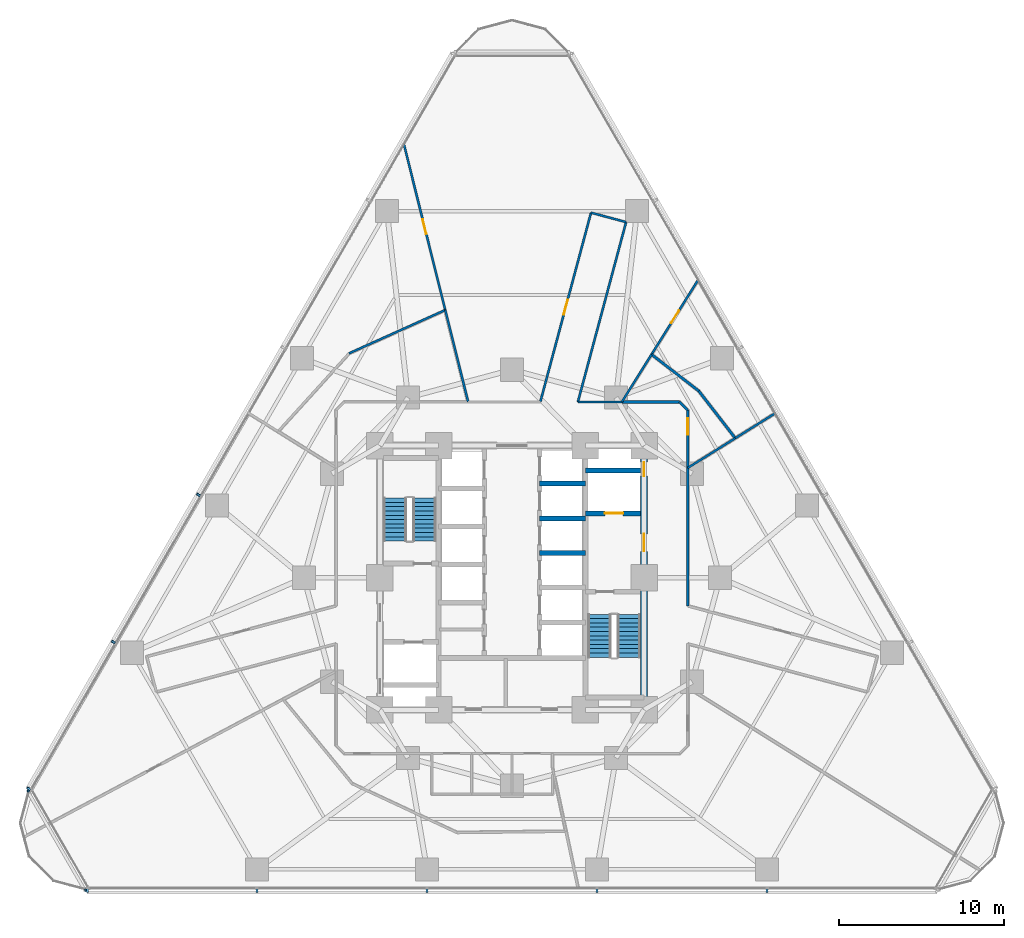
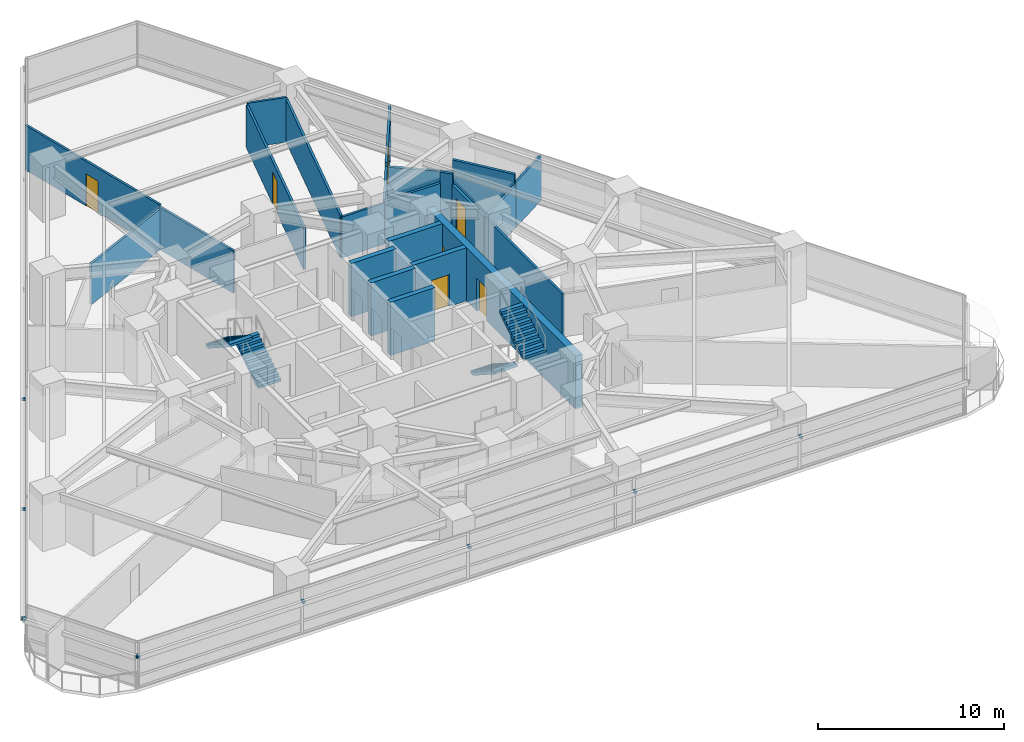
# One storey, part 10 of 15: 23 walls, 10 discrete accessories, 7 doors, 4 stair flights, 7 openings, 2 elements without a shape of their own.
"""IFC4 building model written with IfcOpenShell, lengths in metres."""

from ifc_helpers import new_model, si_unit, direction, frame, frame_2d, origin, origin_2d, place, context, subcontext, project, spatial, polyline, rectangle, outline, extrude, material, layer, layer_set, type_object, element, fill, aggregate, save


model = new_model("IFC4")

# Units and contexts
model_context = context("Model", 3, precision=1e-05, world=origin(), true_north=direction((0.0, 1.0)))
body_context = subcontext(model_context, "Body", "Model", "MODEL_VIEW")
ifc_project = project(units=[si_unit("LENGTHUNIT", "METRE"), si_unit("AREAUNIT", "SQUARE_METRE"), si_unit("VOLUMEUNIT", "CUBIC_METRE"), si_unit("PLANEANGLEUNIT", "RADIAN"), si_unit("MASSUNIT", "GRAM", prefix="KILO")], contexts=[model_context])

# Site, building, storey
site_placement = place(None, origin())
site = spatial("IfcSite", under=ifc_project, at=site_placement, CompositionType="ELEMENT")
building_placement = place(site_placement, origin())
building = spatial("IfcBuilding", under=site, at=building_placement, Name="Terralouvre Media Tower", CompositionType="ELEMENT")
storey_placement = place(building_placement, frame((0.0, 0.0, 33.39990234375)))
storey = spatial("IfcBuildingStorey", under=building, at=storey_placement, Name="L07", CompositionType="ELEMENT", Elevation=33.39990234375)

# Wall, opening, door
ifc_material_1 = material(Name="Concrete C50/60", Category="concrete")
ifc_layer_1 = layer(ifc_material_1, 0.300048828125, Name="Core Internal Shaft Wall CW-300")
ifc_layer_set_1 = layer_set([ifc_layer_1], Name="Concrete C50/60")
wall_type_1 = type_object("IfcWallType", Name="Core Internal Shaft Wall CW-300", PredefinedType="SHEAR", material=ifc_layer_set_1)
wall_1_placement = place(storey_placement, frame((4.449951171875, 3.89990234375, 0.0), z_axis=(0.0, 0.0, 1.0), x_axis=(1.0, 0.0, 0.0)))
wall_1 = element("IfcWall", 1, at=wall_1_placement, inside=storey, type_object=wall_type_1, Name="L07 Core Shaft Wall FF2S", PredefinedType="SHEAR", context=body_context, shape_type="SweptSolid", body=[
    extrude(rectangle(XDim=3.340087890625, YDim=0.300048828125, at=frame_2d((1.669921875, 0.0))), origin(), (0.0, 0.0, 1.0), 3.5),
])
opening_1_placement = place(wall_1_placement, frame((1.179931640625, 0.0, 0.0)))
opening_1 = element("IfcOpeningElement", 2, at=opening_1_placement, cuts=wall_1, Name="Opening LD-FF", PredefinedType="OPENING", context=body_context, shape_type="SweptSolid", body=[
    extrude(rectangle(XDim=1.10009765625, YDim=2.10009765625, at=frame_2d((0.550048828125, 1.050048828125))), frame((0.0, 0.159912109375, 0.0), z_axis=(0.0, -1.0, 0.0), x_axis=(1.0, 0.0, 0.0)), (0.0, 0.0, 1.0), 0.320068359375),
])
ifc_material_2 = material(Name="Stainless steel 316 handrail and balustrade", Category="steel")
door_type_1 = type_object("IfcDoorType", Name="Firefighting Lift Sliding Landing Door LD-FF", OperationType="SLIDING_TO_LEFT", PredefinedType="DOOR", material=ifc_material_2)
door_1_placement = place(opening_1_placement, origin())
door_1 = element("IfcDoor", 3, at=door_1_placement, inside=storey, type_object=door_type_1, Name="L07 Firefighting Lift FFL-02 Landing Door", OperationType="SLIDING_TO_LEFT", OverallHeight=2.10009765625, OverallWidth=1.10009765625, PredefinedType="DOOR", context=body_context, shape_type="SweptSolid", body=[
    extrude(rectangle(XDim=1.10009765625, YDim=2.10009765625, at=frame_2d((0.550048828125, 1.050048828125))), frame((0.0, 0.02490234375, 0.0), z_axis=(0.0, -1.0, 0.0), x_axis=(1.0, 0.0, 0.0)), (0.0, 0.0, 1.0), 0.050048828125),
])
fill(opening_1, door_1)

# Walls
wall_2_placement = place(storey_placement, frame((4.449951171875, 6.5, 0.0), z_axis=(0.0, 0.0, 1.0), x_axis=(1.0, 0.0, 0.0)))
element("IfcWall", 4, at=wall_2_placement, inside=storey, type_object=wall_type_1, Name="L07 Core Shaft Wall FF2N", PredefinedType="SHEAR", context=body_context, shape_type="SweptSolid", body=[
    extrude(rectangle(XDim=3.340087890625, YDim=0.300048828125, at=frame_2d((1.669921875, 0.0))), origin(), (0.0, 0.0, 1.0), 3.5),
])
for number, where, z_axis, x_axis, name in (
    (5, (1.679931640625, 1.5, 0.0), (0.0, 0.0, 1.0), (1.0, 0.0, 0.0), "L07 Core Shaft Wall PLMD0"),
    (6, (1.679931640625, 3.60009765625, 0.0), (0.0, 0.0, 1.0), (1.0, 0.0, 0.0), "L07 Core Shaft Wall PLMD1"),
    (7, (1.679931640625, 5.699951171875, 0.0), (0.0, 0.0, 1.0), (1.0, 0.0, 0.0), "L07 Core Shaft Wall PLMD2"),
):
    element("IfcWall", number, at=place(storey_placement, frame(where, z_axis=z_axis, x_axis=x_axis)), inside=storey, type_object=wall_type_1, Name=name, PredefinedType="SHEAR", context=body_context, shape_type="SweptSolid", body=[
        extrude(rectangle(XDim=2.77001953125, YDim=0.300048828125, at=frame_2d((1.385009765625, 0.0))), origin(), (0.0, 0.0, 1.0), 3.5),
    ])

# Wall, openings, doors
ifc_material_3 = material(Name="Concrete C60/75", Category="concrete")
ifc_layer_2 = layer(ifc_material_3, 0.419921875, Name="Core Reinforced Concrete Shear Wall CW-420")
ifc_layer_set_2 = layer_set([ifc_layer_2], Name="Concrete C60/75")
wall_type_2 = type_object("IfcWallType", Name="Core Reinforced Concrete Shear Wall CW-420", PredefinedType="SHEAR", material=ifc_layer_set_2)
wall_3_placement = place(storey_placement, frame((8.0, -8.0, 0.0), z_axis=(0.0, 0.0, 1.0), x_axis=(0.0, 1.0, 0.0)))
wall_3 = element("IfcWall", 8, at=wall_3_placement, inside=storey, type_object=wall_type_2, Name="L07 E Core Shear Wall", PredefinedType="SHEAR", context=body_context, shape_type="SweptSolid", body=[
    extrude(rectangle(XDim=16.0, YDim=0.419921875, at=frame_2d((8.0, 0.0))), origin(), (0.0, 0.0, 1.0), 3.5),
])
opening_2_placement = place(wall_3_placement, frame((9.60009765625, 0.0, 0.0)))
opening_2 = element("IfcOpeningElement", 9, at=opening_2_placement, cuts=wall_3, Name="Opening FD-01-105X215", PredefinedType="OPENING", context=body_context, shape_type="SweptSolid", body=[
    extrude(rectangle(XDim=1.050048828125, YDim=2.14990234375, at=frame_2d((0.52490234375, 1.074951171875))), frame((0.0, 0.219970703125, 0.0), z_axis=(0.0, -1.0, 0.0), x_axis=(1.0, 0.0, 0.0)), (0.0, 0.0, 1.0), 0.43994140625),
])
opening_3_placement = place(wall_3_placement, frame((14.148193359375, 0.0, 0.0)))
opening_3 = element("IfcOpeningElement", 10, at=opening_3_placement, cuts=wall_3, Name="Opening TD-R1", PredefinedType="OPENING", context=body_context, shape_type="SweptSolid", body=[
    extrude(rectangle(XDim=0.85009765625, YDim=2.02001953125, at=frame_2d((0.425048828125, 1.010009765625))), frame((0.0, 0.219970703125, 0.0), z_axis=(0.0, -1.0, 0.0), x_axis=(1.0, 0.0, 0.0)), (0.0, 0.0, 1.0), 0.43994140625),
])
ifc_material_4 = material(Name="Galvanised steel fire-resisting leaf", Category="steel")
door_type_2 = type_object("IfcDoorType", Name="Riser Inspection Access Trapdoor TD-R1", OperationType="NOTDEFINED", PredefinedType="TRAPDOOR", material=ifc_material_4)
door_2_placement = place(opening_3_placement, origin())
door_2 = element("IfcDoor", 11, at=door_2_placement, inside=storey, type_object=door_type_2, Name="L07 East Comms Riser Access Trapdoor", OperationType="SINGLE_SWING_RIGHT", OverallHeight=2.02001953125, OverallWidth=0.85009765625, PredefinedType="TRAPDOOR", context=body_context, shape_type="SweptSolid", body=[
    extrude(rectangle(XDim=0.85009765625, YDim=2.02001953125, at=frame_2d((0.425048828125, 1.010009765625))), frame((0.0, 0.02490234375, 0.0), z_axis=(0.0, -1.0, 0.0), x_axis=(1.0, 0.0, 0.0)), (0.0, 0.0, 1.0), 0.050048828125),
])
fill(opening_3, door_2)
ifc_material_5 = material(Name="Galvanised steel fire-resisting leaf", Category="steel")
door_type_3 = type_object("IfcDoorType", Name="Stair and Firefighting Lobby Fire Door FD-01 (1050x2150)", OperationType="NOTDEFINED", PredefinedType="DOOR", material=ifc_material_5)
door_3_placement = place(opening_2_placement, origin())
door_3 = element("IfcDoor", 12, at=door_3_placement, inside=storey, type_object=door_type_3, Name="L07 East Firefighting Lobby Entry Door", OperationType="SINGLE_SWING_LEFT", OverallHeight=2.14990234375, OverallWidth=1.050048828125, PredefinedType="DOOR", context=body_context, shape_type="SweptSolid", body=[
    extrude(rectangle(XDim=1.050048828125, YDim=2.14990234375, at=frame_2d((0.52490234375, 1.074951171875))), frame((0.0, 0.02490234375, 0.0), z_axis=(0.0, -1.0, 0.0), x_axis=(1.0, 0.0, 0.0)), (0.0, 0.0, 1.0), 0.050048828125),
])
fill(opening_2, door_3)

# Walls
ifc_material_6 = material(Name="Fire-rated gypsum board drywall partition")
ifc_layer_3 = layer(ifc_material_6, 0.135009765625, Name="Newsroom Acoustic Partition PT-135")
ifc_layer_set_3 = layer_set([ifc_layer_3], Name="Fire-rated gypsum board drywall partition")
wall_type_3 = type_object("IfcWallType", Name="Newsroom Acoustic Partition PT-135", PredefinedType="PARTITIONING", material=ifc_layer_set_3)
wall_4_placement = place(storey_placement, frame((10.64990234375, -1.715087890625, 0.0), z_axis=(0.0, 0.0, 1.0), x_axis=(0.0, 1.0, 0.0)))
element("IfcWall", 13, at=wall_4_placement, inside=storey, type_object=wall_type_3, Name="L07 Interior Partition 005", PredefinedType="PARTITIONING", context=body_context, shape_type="SweptSolid", body=[
    extrude(rectangle(XDim=8.3701171875, YDim=0.135009765625, at=frame_2d((4.18505859375, 0.0))), origin(), (0.0, 0.0, 1.0), 2.78515625),
])
wall_5_placement = place(storey_placement, frame((6.655029296875, 10.64990234375, 0.0), z_axis=(0.0, 0.0, 1.0), x_axis=(-1.0, 0.0, 0.0)))
element("IfcWall", 14, at=wall_5_placement, inside=storey, type_object=wall_type_3, Name="L07 Interior Partition 006", PredefinedType="PARTITIONING", context=body_context, shape_type="SweptSolid", body=[
    extrude(rectangle(XDim=2.6630859375, YDim=0.135009765625, at=frame_2d((1.33154296875, 0.0))), origin(), (0.0, 0.0, 1.0), 2.68505859375),
])
wall_6_placement = place(storey_placement, frame((3.991943359375, 10.64990234375, 0.0), z_axis=(0.0, 0.0, 1.0), x_axis=(0.258889712088, 0.965906888357, 0.0)))
element("IfcWall", 15, at=wall_6_placement, inside=storey, type_object=wall_type_3, Name="L07 Interior Partition 007", PredefinedType="PARTITIONING", context=body_context, shape_type="SweptSolid", body=[
    extrude(rectangle(XDim=11.279541015625, YDim=0.135009765625, at=frame_2d((5.6396484375, 0.0))), origin(), (0.0, 0.0, 1.0), 2.78515625),
])
wall_7_placement = place(storey_placement, frame((6.912109375, 21.544921875, 0.0), z_axis=(0.0, 0.0, 1.0), x_axis=(-0.965848933329, 0.259105843213, 0.0)))
element("IfcWall", 16, at=wall_7_placement, inside=storey, type_object=wall_type_3, Name="L07 Interior Partition 008", PredefinedType="PARTITIONING", context=body_context, shape_type="SweptSolid", body=[
    extrude(rectangle(XDim=2.2001953125, YDim=0.135009765625, at=frame_2d((1.10009765625, 0.0))), origin(), (0.0, 0.0, 1.0), 2.93505859375),
])

# Wall, opening, door
wall_8_placement = place(storey_placement, frame((4.787109375, 22.114990234375, 0.0), z_axis=(0.0, 0.0, 1.0), x_axis=(-0.258815935688, -0.965926659449, 0.0)))
wall_8 = element("IfcWall", 17, at=wall_8_placement, inside=storey, type_object=wall_type_3, Name="L07 Interior Partition 009", PredefinedType="PARTITIONING", context=body_context, shape_type="SweptSolid", body=[
    extrude(rectangle(XDim=11.86962890625, YDim=0.135009765625, at=frame_2d((5.934814453125, 0.0))), origin(), (0.0, 0.0, 1.0), 2.78515625),
])
opening_4_placement = place(wall_8_placement, frame((5.459716796875, 0.0, 0.0)))
opening_4 = element("IfcOpeningElement", 18, at=opening_4_placement, cuts=wall_8, Name="Opening ID-02-95X210", PredefinedType="OPENING", context=body_context, shape_type="SweptSolid", body=[
    extrude(rectangle(XDim=0.949951171875, YDim=2.10009765625, at=frame_2d((0.47509765625, 1.050048828125))), frame((0.0, 0.077392578125, 0.0), z_axis=(0.0, -1.0, 0.0), x_axis=(1.0, 0.0, 0.0)), (0.0, 0.0, 1.0), 0.155029296875),
])
ifc_material_7 = material(Name="Engineered hardwood acoustic timber leaf", Category="wood")
door_type_4 = type_object("IfcDoorType", Name="Office and Meeting Room Door ID-02 (950x2100)", OperationType="NOTDEFINED", PredefinedType="DOOR", material=ifc_material_7)
door_4_placement = place(opening_4_placement, origin())
door_4 = element("IfcDoor", 19, at=door_4_placement, inside=storey, type_object=door_type_4, Name="L07 Breaking Desk Editorial Office 2 Door", OperationType="SINGLE_SWING_LEFT", OverallHeight=2.10009765625, OverallWidth=0.949951171875, PredefinedType="DOOR", context=body_context, shape_type="SweptSolid", body=[
    extrude(rectangle(XDim=0.949951171875, YDim=2.10009765625, at=frame_2d((0.47509765625, 1.050048828125))), frame((0.0, 0.02490234375, 0.0), z_axis=(0.0, -1.0, 0.0), x_axis=(1.0, 0.0, 0.0)), (0.0, 0.0, 1.0), 0.050048828125),
])
fill(opening_4, door_4)

# Walls
wall_9_placement = place(storey_placement, frame((13.528076171875, 8.452880859375, 0.0), z_axis=(0.0, 0.0, 1.0), x_axis=(-0.848131653937, -0.529785520366, 0.0)))
element("IfcWall", 20, at=wall_9_placement, inside=storey, type_object=wall_type_3, Name="L07 Interior Partition 032", PredefinedType="PARTITIONING", context=body_context, shape_type="SweptSolid", body=[
    extrude(rectangle(XDim=3.3935546875, YDim=0.135009765625, at=frame_2d((1.69677734375, 0.0))), origin(), (0.0, 0.0, 1.0), 2.78515625),
])
wall_10_placement = place(storey_placement, frame((15.984130859375, 9.98828125, 0.0), z_axis=(0.0, 0.0, 1.0), x_axis=(-0.847941475479, -0.5300898548, 0.0)))
element("IfcWall", 21, at=wall_10_placement, inside=storey, type_object=wall_type_3, Name="L07 Interior Partition 033", PredefinedType="PARTITIONING", context=body_context, shape_type="SweptSolid", body=[
    extrude(rectangle(XDim=2.896484375, YDim=0.135009765625, at=frame_2d((1.4482421875, 0.0))), origin(), (0.0, 0.0, 1.0), 2.93505859375),
])
wall_11_placement = place(storey_placement, frame((6.655029296875, 10.64990234375, 0.0), z_axis=(0.0, 0.0, 1.0), x_axis=(0.529785520366, 0.848131653937, 0.0)))
element("IfcWall", 22, at=wall_11_placement, inside=storey, type_object=wall_type_3, Name="L07 Interior Partition 034", PredefinedType="PARTITIONING", context=body_context, shape_type="SweptSolid", body=[
    extrude(rectangle(XDim=3.3935546875, YDim=0.135009765625, at=frame_2d((1.69677734375, 0.0))), origin(), (0.0, 0.0, 1.0), 2.68505859375),
])

# Wall, opening, door
wall_12_placement = place(storey_placement, frame((8.452880859375, 13.528076171875, 0.0), z_axis=(0.0, 0.0, 1.0), x_axis=(0.529933702465, 0.848039073977, 0.0)))
wall_12 = element("IfcWall", 23, at=wall_12_placement, inside=storey, type_object=wall_type_3, Name="L07 Interior Partition 035", PredefinedType="PARTITIONING", context=body_context, shape_type="SweptSolid", body=[
    extrude(rectangle(XDim=5.38232421875, YDim=0.135009765625, at=frame_2d((2.691162109375, 0.0))), origin(), (0.0, 0.0, 1.0), 2.93505859375),
])
opening_5_placement = place(wall_12_placement, frame((2.231201171875, 0.0, 0.0)))
opening_5 = element("IfcOpeningElement", 24, at=opening_5_placement, cuts=wall_12, Name="Opening ID-03-92X210", PredefinedType="OPENING", context=body_context, shape_type="SweptSolid", body=[
    extrude(rectangle(XDim=0.919921875, YDim=2.10009765625, at=frame_2d((0.4599609375, 1.050048828125))), frame((0.0, 0.077392578125, 0.0), z_axis=(0.0, -1.0, 0.0), x_axis=(1.0, 0.0, 0.0)), (0.0, 0.0, 1.0), 0.155029296875),
])
ifc_material_8 = material(Name="Engineered hardwood acoustic timber leaf", Category="wood")
door_type_5 = type_object("IfcDoorType", Name="Accessible Restroom and Suite Door ID-03 (920x2100)", OperationType="NOTDEFINED", PredefinedType="DOOR", material=ifc_material_8)
door_5_placement = place(opening_5_placement, origin())
door_5 = element("IfcDoor", 25, at=door_5_placement, inside=storey, type_object=door_type_5, Name="L07 Newsroom Tea Pantry 8 Door", OperationType="SINGLE_SWING_LEFT", OverallHeight=2.10009765625, OverallWidth=0.919921875, PredefinedType="DOOR", context=body_context, shape_type="SweptSolid", body=[
    extrude(rectangle(XDim=0.919921875, YDim=2.10009765625, at=frame_2d((0.4599609375, 1.050048828125))), frame((0.0, 0.02490234375, 0.0), z_axis=(0.0, -1.0, 0.0), x_axis=(1.0, 0.0, 0.0)), (0.0, 0.0, 1.0), 0.050048828125),
])
fill(opening_5, door_5)

wall_13_placement = place(storey_placement, frame((-6.56005859375, 26.311279296875, 0.0), z_axis=(0.0, 0.0, 1.0), x_axis=(0.241883926999, -0.970305192122, 0.0)))
wall_13 = element("IfcWall", 26, at=wall_13_placement, inside=storey, type_object=wall_type_3, Name="L07 Interior Partition 036", PredefinedType="PARTITIONING", context=body_context, shape_type="SweptSolid", body=[
    extrude(rectangle(XDim=10.402099609375, YDim=0.135009765625, at=frame_2d((5.201171875, 0.0))), origin(), (0.0, 0.0, 1.0), 2.93505859375),
])
opening_6_placement = place(wall_13_placement, frame((4.740966796875, 0.0, 0.0)))
opening_6 = element("IfcOpeningElement", 27, at=opening_6_placement, cuts=wall_13, Name="Opening ID-03-92X210", PredefinedType="OPENING", context=body_context, shape_type="SweptSolid", body=[
    extrude(rectangle(XDim=0.919921875, YDim=2.10009765625, at=frame_2d((0.4599609375, 1.050048828125))), frame((0.0, 0.077392578125, 0.0), z_axis=(0.0, -1.0, 0.0), x_axis=(1.0, 0.0, 0.0)), (0.0, 0.0, 1.0), 0.155029296875),
])
door_6_placement = place(opening_6_placement, origin())
door_6 = element("IfcDoor", 28, at=door_6_placement, inside=storey, type_object=door_type_5, Name="L07 Press Tape Archive Storage 9 Door", OperationType="SINGLE_SWING_RIGHT", OverallHeight=2.10009765625, OverallWidth=0.919921875, PredefinedType="DOOR", context=body_context, shape_type="SweptSolid", body=[
    extrude(rectangle(XDim=0.919921875, YDim=2.10009765625, at=frame_2d((0.4599609375, 1.050048828125))), frame((0.0, 0.02490234375, 0.0), z_axis=(0.0, -1.0, 0.0), x_axis=(1.0, 0.0, 0.0)), (0.0, 0.0, 1.0), 0.050048828125),
])
fill(opening_6, door_6)

# Walls
wall_14_placement = place(storey_placement, frame((-4.0439453125, 16.218017578125, 0.0), z_axis=(0.0, 0.0, 1.0), x_axis=(0.242025079774, -0.970269993744, 0.0)))
element("IfcWall", 29, at=wall_14_placement, inside=storey, type_object=wall_type_3, Name="L07 Interior Partition 037", PredefinedType="PARTITIONING", context=body_context, shape_type="SweptSolid", body=[
    extrude(rectangle(XDim=5.73876953125, YDim=0.135009765625, at=frame_2d((2.869384765625, 0.0))), origin(), (0.0, 0.0, 1.0), 2.78515625),
])
wall_15_placement = place(storey_placement, frame((-9.875, 13.591064453125, 0.0), z_axis=(0.0, 0.0, 1.0), x_axis=(0.911747140101, 0.4107519355, 0.0)))
element("IfcWall", 30, at=wall_15_placement, inside=storey, type_object=wall_type_3, Name="L07 Interior Partition 058", PredefinedType="PARTITIONING", context=body_context, shape_type="SweptSolid", body=[
    extrude(rectangle(XDim=6.3955078125, YDim=0.135009765625, at=frame_2d((3.19775390625, 0.0))), origin(), (0.0, 0.0, 1.0), 2.68505859375),
])

# Wall, opening, door
ifc_material_9 = material(Name="Fire-rated gypsum board drywall partition")
ifc_layer_4 = layer(ifc_material_9, 0.159912109375, Name="Studio Acoustic Rated Partition PT-160")
ifc_layer_set_4 = layer_set([ifc_layer_4], Name="Fire-rated gypsum board drywall partition")
wall_type_4 = type_object("IfcWallType", Name="Studio Acoustic Rated Partition PT-160", PredefinedType="PARTITIONING", material=ifc_layer_set_4)
wall_16_placement = place(storey_placement, frame((10.64990234375, 6.655029296875, 0.0), z_axis=(0.0, 0.0, 1.0), x_axis=(0.0, 1.0, 0.0)))
wall_16 = element("IfcWall", 31, at=wall_16_placement, inside=storey, type_object=wall_type_4, Name="L07 Interior Partition 025", PredefinedType="PARTITIONING", context=body_context, shape_type="SweptSolid", body=[
    extrude(rectangle(XDim=3.494873046875, YDim=0.159912109375, at=frame_2d((1.74755859375, 0.0))), origin(), (0.0, 0.0, 1.0), 2.78515625),
])
opening_7_placement = place(wall_16_placement, frame((2.016357421875, 0.0, 0.0)))
opening_7 = element("IfcOpeningElement", 32, at=opening_7_placement, cuts=wall_16, Name="Opening ID-01-100X215", PredefinedType="OPENING", context=body_context, shape_type="SweptSolid", body=[
    extrude(rectangle(XDim=1.0, YDim=2.14990234375, at=frame_2d((0.5, 1.074951171875))), frame((0.0, 0.08984375, 0.0), z_axis=(0.0, -1.0, 0.0), x_axis=(1.0, 0.0, 0.0)), (0.0, 0.0, 1.0), 0.179931640625),
])
ifc_material_10 = material(Name="Engineered hardwood acoustic timber leaf", Category="wood")
door_type_6 = type_object("IfcDoorType", Name="Broadcast Studio Acoustic Single Door ID-01 (1000x2150)", OperationType="NOTDEFINED", PredefinedType="DOOR", material=ifc_material_10)
door_7_placement = place(opening_7_placement, origin())
door_7 = element("IfcDoor", 33, at=door_7_placement, inside=storey, type_object=door_type_6, Name="L07 Live Feed Master Control Room 7 Door", OperationType="SINGLE_SWING_RIGHT", OverallHeight=2.14990234375, OverallWidth=1.0, PredefinedType="DOOR", context=body_context, shape_type="SweptSolid", body=[
    extrude(rectangle(XDim=1.0, YDim=2.14990234375, at=frame_2d((0.5, 1.074951171875))), frame((0.0, 0.02490234375, 0.0), z_axis=(0.0, -1.0, 0.0), x_axis=(1.0, 0.0, 0.0)), (0.0, 0.0, 1.0), 0.050048828125),
])
fill(opening_7, door_7)

# Walls
wall_17_placement = place(storey_placement, frame((10.64990234375, 10.14990234375, 0.0), z_axis=(0.0, 0.0, 1.0), x_axis=(-0.707106781187, 0.707106781187, 0.0)))
element("IfcWall", 34, at=wall_17_placement, inside=storey, type_object=wall_type_4, Name="L07 Interior Partition 026", PredefinedType="PARTITIONING", context=body_context, shape_type="SweptSolid", body=[
    extrude(rectangle(XDim=0.70703125, YDim=0.159912109375, at=frame_2d((0.353515625, 0.0))), origin(), (0.0, 0.0, 1.0), 3.5),
])
wall_18_placement = place(storey_placement, frame((10.14990234375, 10.64990234375, 0.0), z_axis=(0.0, 0.0, 1.0), x_axis=(-1.0, 0.0, 0.0)))
element("IfcWall", 35, at=wall_18_placement, inside=storey, type_object=wall_type_4, Name="L07 Interior Partition 027", PredefinedType="PARTITIONING", context=body_context, shape_type="SweptSolid", body=[
    extrude(rectangle(XDim=3.494873046875, YDim=0.159912109375, at=frame_2d((1.74755859375, 0.0))), origin(), (0.0, 0.0, 1.0), 2.78515625),
])
wall_19_placement = place(storey_placement, frame((13.528076171875, 8.452880859375, 0.0), z_axis=(0.0, 0.0, 1.0), x_axis=(-0.612013931987, 0.790846980809, 0.0)))
element("IfcWall", 36, at=wall_19_placement, inside=storey, type_object=wall_type_4, Name="L07 Interior Partition 055", PredefinedType="PARTITIONING", context=body_context, shape_type="SweptSolid", body=[
    extrude(rectangle(XDim=3.61767578125, YDim=0.159912109375, at=frame_2d((1.808837890625, 0.0))), origin(), (0.0, 0.0, 1.0), 3.5),
])
wall_20_placement = place(storey_placement, frame((11.31396484375, 11.31396484375, 0.0), z_axis=(0.0, 0.0, 1.0), x_axis=(-0.790846980809, 0.612013931987, 0.0)))
element("IfcWall", 37, at=wall_20_placement, inside=storey, type_object=wall_type_4, Name="L07 Interior Partition 056", PredefinedType="PARTITIONING", context=body_context, shape_type="SweptSolid", body=[
    extrude(rectangle(XDim=3.61767578125, YDim=0.159912109375, at=frame_2d((1.808837890625, 0.0))), origin(), (0.0, 0.0, 1.0), 2.68505859375),
])

# Stair, stair flights
ifc_material_11 = material(Name="Concrete C45/55", Category="concrete")
stair_type_1 = type_object("IfcStairType", Name="Dogleg Stair Assembly ST-01", PredefinedType="HALF_TURN_STAIR", material=ifc_material_11)
stair_1_placement = place(storey_placement, origin())
stair_1 = element("IfcStair", 38, at=stair_1_placement, inside=storey, type_object=stair_type_1, Name="L07 Core Pressurised Exit Stair ST-01", PredefinedType="HALF_TURN_STAIR")
ifc_material_12 = material(Name="Concrete C45/55", Category="concrete")
stair_flight_type = type_object("IfcStairFlightType", Name="Reinforced Concrete Stair Flight SF-RC1", PredefinedType="STRAIGHT", material=ifc_material_12)
stair_flight_1_placement = place(storey_placement, frame((-5.300048828125, 2.219970703125, 0.0), z_axis=(0.0, 0.0, 1.0), x_axis=(0.0, 1.0, 0.0)))
stair_flight_1 = element("IfcStairFlight", 39, at=stair_flight_1_placement, type_object=stair_flight_type, Name="ST-01 flight 1", NumberOfRisers=11, NumberOfTreads=10, PredefinedType="STRAIGHT", RiserHeight=0.168181818, TreadLength=0.26, context=body_context, shape_type="SweptSolid", body=[
    extrude(outline(polyline([(0.0, 0.0), (0.0, 0.168212890625), (0.260009765625, 0.168212890625), (0.260009765625, 0.33642578125), (0.52001953125, 0.33642578125), (0.52001953125, 0.504638671875), (0.780029296875, 0.504638671875), (0.780029296875, 0.672607421875), (1.0400390625, 0.672607421875), (1.0400390625, 0.8408203125), (1.300048828125, 0.8408203125), (1.300048828125, 1.009033203125), (1.56005859375, 1.009033203125), (1.56005859375, 1.17724609375), (1.820068359375, 1.17724609375), (1.820068359375, 1.345458984375), (2.080078125, 1.345458984375), (2.080078125, 1.513671875), (2.340087890625, 1.513671875), (2.340087890625, 1.681884765625), (2.60009765625, 1.681884765625), (2.60009765625, 1.85009765625), (2.60009765625, 1.503173828125), (0.27587890625, 0.0), (0.0, 0.0)])), frame((0.0, 0.699951171875, 0.0), z_axis=(0.0, -1.0, 0.0), x_axis=(1.0, 0.0, 0.0)), (0.0, 0.0, 1.0), 1.39990234375),
])
stair_flight_2_placement = place(storey_placement, frame((-7.080078125, 4.820068359375, 1.85009765625), z_axis=(0.0, 0.0, 1.0), x_axis=(0.0, -1.0, 0.0)))
stair_flight_2 = element("IfcStairFlight", 40, at=stair_flight_2_placement, type_object=stair_flight_type, Name="ST-01 flight 2", NumberOfRisers=11, NumberOfTreads=10, PredefinedType="STRAIGHT", RiserHeight=0.168181818, TreadLength=0.26, context=body_context, shape_type="SweptSolid", body=[
    extrude(outline(polyline([(0.0, 0.0), (0.0, 0.168212890625), (0.260009765625, 0.168212890625), (0.260009765625, 0.33642578125), (0.52001953125, 0.33642578125), (0.52001953125, 0.504638671875), (0.780029296875, 0.504638671875), (0.780029296875, 0.672607421875), (1.0400390625, 0.672607421875), (1.0400390625, 0.8408203125), (1.300048828125, 0.8408203125), (1.300048828125, 1.009033203125), (1.56005859375, 1.009033203125), (1.56005859375, 1.17724609375), (1.820068359375, 1.17724609375), (1.820068359375, 1.345458984375), (2.080078125, 1.345458984375), (2.080078125, 1.513671875), (2.340087890625, 1.513671875), (2.340087890625, 1.681884765625), (2.60009765625, 1.681884765625), (2.60009765625, 1.85009765625), (2.60009765625, 1.503173828125), (0.27587890625, 0.0), (0.0, 0.0)])), frame((0.0, 0.699951171875, 0.0), z_axis=(0.0, -1.0, 0.0), x_axis=(1.0, 0.0, 0.0)), (0.0, 0.0, 1.0), 1.39990234375),
])
aggregate(stair_1, [stair_flight_1, stair_flight_2])

ifc_material_13 = material(Name="Concrete C45/55", Category="concrete")
stair_type_2 = type_object("IfcStairType", Name="Dogleg Stair Assembly ST-02", PredefinedType="HALF_TURN_STAIR", material=ifc_material_13)
stair_2_placement = place(storey_placement, origin())
stair_2 = element("IfcStair", 41, at=stair_2_placement, inside=storey, type_object=stair_type_2, Name="L07 Core Pressurised Exit Stair ST-02", PredefinedType="HALF_TURN_STAIR")
stair_flight_3_placement = place(storey_placement, frame((5.300048828125, -2.219970703125, 0.0), z_axis=(0.0, 0.0, 1.0), x_axis=(0.0, -1.0, 0.0)))
stair_flight_3 = element("IfcStairFlight", 42, at=stair_flight_3_placement, type_object=stair_flight_type, Name="ST-02 flight 1", NumberOfRisers=11, NumberOfTreads=10, PredefinedType="STRAIGHT", RiserHeight=0.168181818, TreadLength=0.26, context=body_context, shape_type="SweptSolid", body=[
    extrude(outline(polyline([(0.0, 0.0), (0.0, 0.168212890625), (0.260009765625, 0.168212890625), (0.260009765625, 0.33642578125), (0.52001953125, 0.33642578125), (0.52001953125, 0.504638671875), (0.780029296875, 0.504638671875), (0.780029296875, 0.672607421875), (1.0400390625, 0.672607421875), (1.0400390625, 0.8408203125), (1.300048828125, 0.8408203125), (1.300048828125, 1.009033203125), (1.56005859375, 1.009033203125), (1.56005859375, 1.17724609375), (1.820068359375, 1.17724609375), (1.820068359375, 1.345458984375), (2.080078125, 1.345458984375), (2.080078125, 1.513671875), (2.340087890625, 1.513671875), (2.340087890625, 1.681884765625), (2.60009765625, 1.681884765625), (2.60009765625, 1.85009765625), (2.60009765625, 1.503173828125), (0.27587890625, 0.0), (0.0, 0.0)])), frame((0.0, 0.699951171875, 0.0), z_axis=(0.0, -1.0, 0.0), x_axis=(1.0, 0.0, 0.0)), (0.0, 0.0, 1.0), 1.39990234375),
])
stair_flight_4_placement = place(storey_placement, frame((7.080078125, -4.820068359375, 1.85009765625), z_axis=(0.0, 0.0, 1.0), x_axis=(0.0, 1.0, 0.0)))
stair_flight_4 = element("IfcStairFlight", 43, at=stair_flight_4_placement, type_object=stair_flight_type, Name="ST-02 flight 2", NumberOfRisers=11, NumberOfTreads=10, PredefinedType="STRAIGHT", RiserHeight=0.168181818, TreadLength=0.26, context=body_context, shape_type="SweptSolid", body=[
    extrude(outline(polyline([(0.0, 0.0), (0.0, 0.168212890625), (0.260009765625, 0.168212890625), (0.260009765625, 0.33642578125), (0.52001953125, 0.33642578125), (0.52001953125, 0.504638671875), (0.780029296875, 0.504638671875), (0.780029296875, 0.672607421875), (1.0400390625, 0.672607421875), (1.0400390625, 0.8408203125), (1.300048828125, 0.8408203125), (1.300048828125, 1.009033203125), (1.56005859375, 1.009033203125), (1.56005859375, 1.17724609375), (1.820068359375, 1.17724609375), (1.820068359375, 1.345458984375), (2.080078125, 1.345458984375), (2.080078125, 1.513671875), (2.340087890625, 1.513671875), (2.340087890625, 1.681884765625), (2.60009765625, 1.681884765625), (2.60009765625, 1.85009765625), (2.60009765625, 1.503173828125), (0.27587890625, 0.0), (0.0, 0.0)])), frame((0.0, 0.699951171875, 0.0), z_axis=(0.0, -1.0, 0.0), x_axis=(1.0, 0.0, 0.0)), (0.0, 0.0, 1.0), 1.39990234375),
])
aggregate(stair_2, [stair_flight_3, stair_flight_4])

# Discrete accessories
ifc_material_14 = material(Name="Anodised extruded aluminium 6063-T6", Category="aluminium")
discrete_accessory_type = type_object("IfcDiscreteAccessoryType", Name="Mullion Stand-Off Baguette Fixing Bracket BK-01", PredefinedType="BRACKET", material=ifc_material_14)
for number, where, z_axis, x_axis, name in (
    (44, (-25.71240234375, -18.956787109375, 2.07421875), (0.0, 0.0, 1.0), (1.0, 0.0, 0.0), "CW-L07-F0 Baguette Outrigger Bracket 1.01"),
    (45, (-15.449951171875, -18.956787109375, 2.07421875), (0.0, 0.0, 1.0), (1.0, 0.0, 0.0), "CW-L07-F0 Baguette Outrigger Bracket 1.02"),
    (46, (-5.14990234375, -18.956787109375, 2.07421875), (0.0, 0.0, 1.0), (1.0, 0.0, 0.0), "CW-L07-F0 Baguette Outrigger Bracket 1.03"),
    (47, (5.14990234375, -18.956787109375, 2.07421875), (0.0, 0.0, 1.0), (1.0, 0.0, 0.0), "CW-L07-F0 Baguette Outrigger Bracket 1.04"),
    (48, (15.449951171875, -18.956787109375, 2.07421875), (0.0, 0.0, 1.0), (1.0, 0.0, 0.0), "CW-L07-F0 Baguette Outrigger Bracket 1.05"),
    (49, (-18.991943359375, 5.018310546875, 2.07421875), (0.0, 0.0, 1.0), (-0.499999985671, -0.866025412057, 0.0), "CW-L07-F2 Baguette Outrigger Bracket 1.04"),
    (50, (-24.14208984375, -3.901611328125, 2.07421875), (0.0, 0.0, 1.0), (-0.499999985671, -0.866025412057, 0.0), "CW-L07-F2 Baguette Outrigger Bracket 1.05"),
    (51, (-29.273193359375, -12.789306640625, 2.07421875), (0.0, 0.0, 1.0), (-0.499999985671, -0.866025412057, 0.0), "CW-L07-F2 Baguette Outrigger Bracket 1.06"),
    (52, (-29.255859375, -12.88427734375, 2.07421875), (0.0, 0.0, 1.0), (0.499999691503, -0.866025581895, 0.0), "CW-L07-C0 Baguette Outrigger Bracket 1.01"),
    (53, (-25.7861328125, -18.894287109375, 2.07421875), (0.0, 0.0, 1.0), (0.499999691503, -0.866025581895, 0.0), "CW-L07-C0 Baguette Outrigger Bracket 1.02"),
):
    element("IfcDiscreteAccessory", number, at=place(storey_placement, frame(where, z_axis=z_axis, x_axis=x_axis)), inside=storey, type_object=discrete_accessory_type, Name=name, PredefinedType="BRACKET", context=body_context, shape_type="SweptSolid", body=[
        extrude(rectangle(XDim=0.139892578125, YDim=0.239990234375, at=origin_2d()), origin(), (0.0, 0.0, 1.0), 0.179931640625),
    ])

save(model, "model.ifc")
